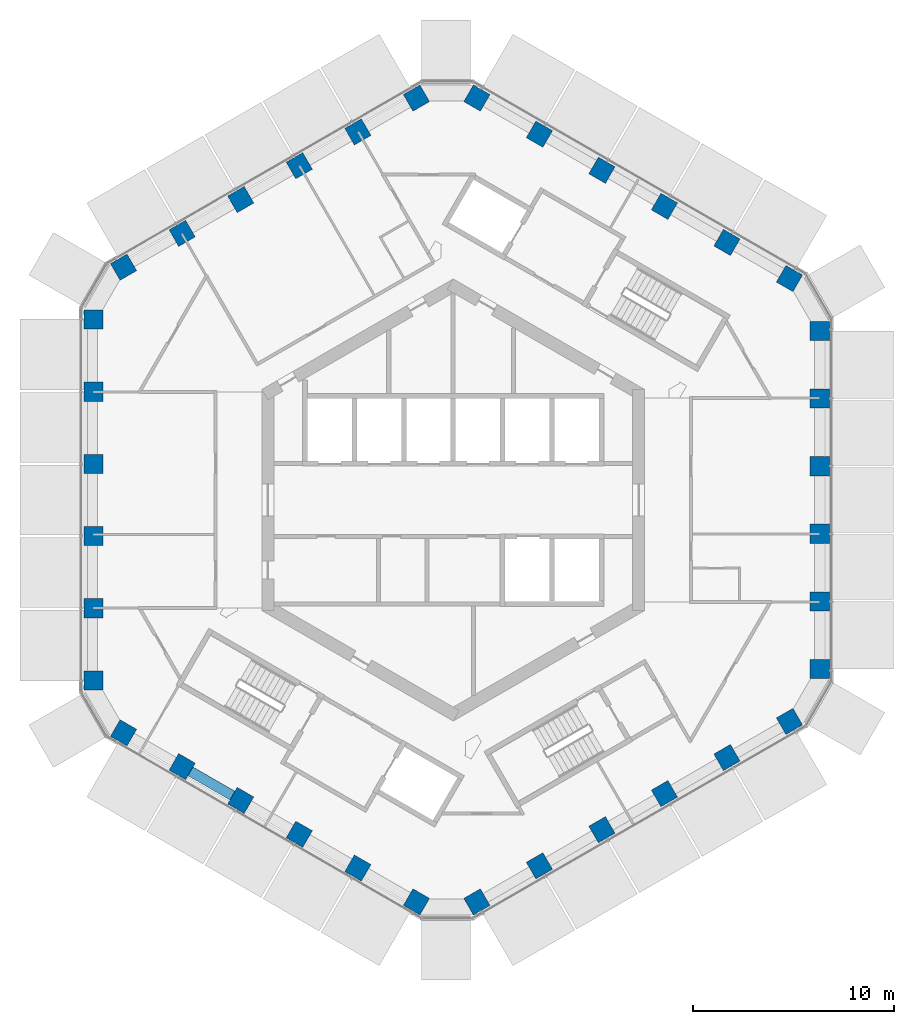
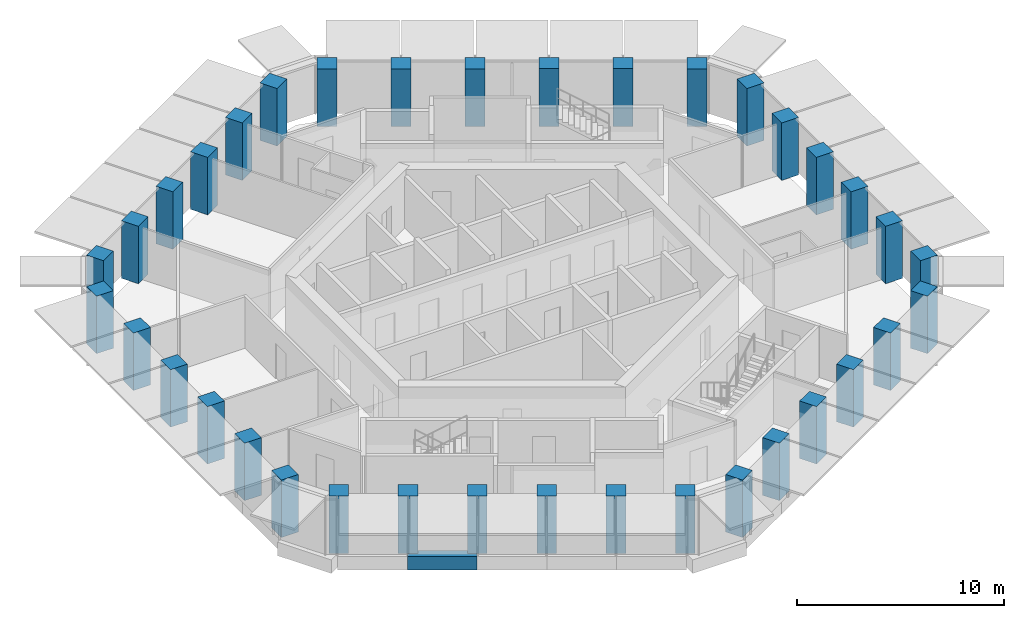
# One storey, part 1 of 18: 36 columns, 1 beam.
"""IFC4 building model written with IfcOpenShell, lengths in metres."""

import ifcopenshell
import ifcopenshell.guid

model = None  # the IFC model being written
_history = None  # IfcOwnerHistory: only IFC2X3 demands one
_inside = {}  # id of a spatial element -> (the spatial element, [elements in it])
_under = {}  # id of a project, library or spatial element -> (it, [spatial elements below it])
_declared = {}  # id of a project -> (the project, [libraries it declares])
_typed = {}  # id of a type object -> (the type object, [elements of that type])
_made_of = {}  # id of a material, layer set ... -> (it, [elements and type objects made of it])


def new_model(schema):
    """Start an empty IFC model of exactly this schema.

    Asked for "IFC4X3", IfcOpenShell would pick the latest addendum, in which some entities
    have other attributes; the version numbers below select the first issue.
    IFC2X3 requires an IfcOwnerHistory on every rooted entity: one is made here for all.
    """
    global model, _history
    if schema == "IFC4X3":
        model = ifcopenshell.file(schema_version=(4, 3, 0, 0))
    else:
        model = ifcopenshell.file(schema=schema)
    _inside.clear()
    _under.clear()
    _declared.clear()
    _typed.clear()
    _made_of.clear()
    _history = None
    if model.schema == "IFC2X3":
        org = make("IfcOrganization", Name="unknown")
        user = make(
            "IfcPersonAndOrganization",
            ThePerson=make("IfcPerson", FamilyName="unknown"),
            TheOrganization=org,
        )
        app = make(
            "IfcApplication",
            ApplicationDeveloper=org,
            Version="unknown",
            ApplicationFullName="unknown",
            ApplicationIdentifier="unknown",
        )
        _history = make(
            "IfcOwnerHistory",
            OwningUser=user,
            OwningApplication=app,
            ChangeAction="ADDED",
            CreationDate=0,
        )
    return model


def make(cls, **values):
    """One entity of the class cls with the attributes given. An attribute that is None is left unset."""
    return model.create_entity(
        cls, **{name: value for name, value in values.items() if value is not None}
    )


def rooted(cls, **values):
    """An entity with a GlobalId (a new one), such as an element, a storey or a relation."""
    return make(cls, GlobalId=ifcopenshell.guid.new(), OwnerHistory=_history, **values)


def si_unit(unit_type, name, prefix=None):
    """IfcSIUnit, for example si_unit("LENGTHUNIT", "METRE", prefix="MILLI")."""
    return make("IfcSIUnit", UnitType=unit_type, Prefix=prefix, Name=name)


def assignment(units):
    """IfcUnitAssignment: the units of a project."""
    return None if units is None else make("IfcUnitAssignment", Units=units)


def point(xyz):
    """IfcCartesianPoint."""
    return None if xyz is None else make("IfcCartesianPoint", Coordinates=xyz)


def direction(xyz):
    """IfcDirection."""
    return None if xyz is None else make("IfcDirection", DirectionRatios=xyz)


def frame(location, z_axis=None, x_axis=None):
    """IfcAxis2Placement3D, a coordinate frame: its origin and axes. An axis left out is left unset."""
    return make(
        "IfcAxis2Placement3D",
        Location=point(location),
        Axis=direction(z_axis),
        RefDirection=direction(x_axis),
    )


def frame_2d(location, x_axis=None):
    """IfcAxis2Placement2D, a coordinate frame in the plane: its origin and x axis."""
    return make(
        "IfcAxis2Placement2D", Location=point(location), RefDirection=direction(x_axis)
    )


def origin():
    """The frame at (0, 0, 0) with its axes left unset."""
    return frame((0.0, 0.0, 0.0))


def origin_2d():
    """The frame at (0, 0) in the plane with its x axis left unset."""
    return frame_2d((0.0, 0.0))


def place(relative_to, where):
    """IfcLocalPlacement: puts the frame where relative to a parent placement (None: the world)."""
    return make(
        "IfcLocalPlacement", PlacementRelTo=relative_to, RelativePlacement=where
    )


def context(
    kind, dimensions, precision=None, world=None, true_north=None, identifier=None
):
    """IfcGeometricRepresentationContext, for example the 3D "Model" context."""
    return make(
        "IfcGeometricRepresentationContext",
        ContextIdentifier=identifier,
        ContextType=kind,
        CoordinateSpaceDimension=dimensions,
        Precision=precision,
        WorldCoordinateSystem=world,
        TrueNorth=true_north,
    )


def subcontext(parent, identifier, kind, view, scale=None):
    """IfcGeometricRepresentationSubContext, for example "Body" below "Model"."""
    return make(
        "IfcGeometricRepresentationSubContext",
        ContextIdentifier=identifier,
        ContextType=kind,
        ParentContext=parent,
        TargetScale=scale,
        TargetView=view,
    )


def project(units=None, contexts=None):
    """IfcProject with its units and contexts."""
    return rooted(
        "IfcProject",
        Name="project",
        RepresentationContexts=contexts,
        UnitsInContext=assignment(units),
    )


def spatial(cls, under=None, at=None, **own):
    """A site, building, storey or space (cls), placed at a placement, below another one or the project."""
    s = rooted(cls, ObjectPlacement=at, **own)
    if under is not None:
        _under.setdefault(under.id(), (under, []))[1].append(s)
    return s


def profile(cls, at=None, kind="AREA", **sizes):
    """A parametric profile (cls). Its sizes go by their IFC names, for example OverallWidth=200.0."""
    return make(cls, ProfileType=kind, Position=at, **sizes)


def rectangle(**sizes):
    """IfcRectangleProfileDef."""
    return profile("IfcRectangleProfileDef", **sizes)


def extrude(swept, where, along, depth):
    """IfcExtrudedAreaSolid: the profile swept, set in the frame where, extruded along a direction by depth."""
    return make(
        "IfcExtrudedAreaSolid",
        SweptArea=swept,
        Position=where,
        ExtrudedDirection=direction(along),
        Depth=depth,
    )


def shape(context_of_items, identifier, shape_type, items):
    """IfcShapeRepresentation: the items that make up one representation, for example the "Body"."""
    return make(
        "IfcShapeRepresentation",
        ContextOfItems=context_of_items,
        RepresentationIdentifier=identifier,
        RepresentationType=shape_type,
        Items=items,
    )


def material(Name=None, Category=None):
    """IfcMaterial."""
    return make("IfcMaterial", Name=Name, Category=Category)


def material_profile(
    of_material, cross_section, Name=None, Category=None, Priority=None
):
    """IfcMaterialProfile: a cross section and its material."""
    return make(
        "IfcMaterialProfile",
        Name=Name,
        Material=of_material,
        Profile=cross_section,
        Priority=Priority,
        Category=Category,
    )


def profile_set(profiles, Name=None, composite=None):
    """IfcMaterialProfileSet."""
    return make(
        "IfcMaterialProfileSet",
        Name=Name,
        MaterialProfiles=profiles,
        CompositeProfile=composite,
    )


def made_of(thing, what):
    """Note that an element or type object is made of a material, layer set ...; save() writes the relation."""
    if what is not None:
        _made_of.setdefault(what.id(), (what, []))[1].append(thing)
    return thing


def type_object(cls, material=None, **own):
    """A type object (cls), such as IfcWallType, which elements share."""
    return made_of(rooted(cls, **own), material)


def element(
    cls,
    number,
    at=None,
    inside=None,
    cuts=None,
    type_object=None,
    material=None,
    context=None,
    identifier="Body",
    shape_type=None,
    held_by="IfcProductDefinitionShape",
    body=None,
    shapes=None,
    **own,
):
    """One element of the class cls, such as IfcWall. Its Tag is "e" and its number.

    at: its placement. inside: the storey or other place that contains it. cuts: it is an
    opening in that element (IfcRelVoidsElement). A single representation is given by context,
    identifier, shape_type and body (its items); several are given by shapes. held_by: the class
    of the entity that holds the representations. save() writes the other relations.
    """
    e = rooted(cls, Tag="e%d" % number, ObjectPlacement=at, **own)
    if body is not None:
        shapes = [shape(context, identifier, shape_type, body)]
    if shapes is not None:
        e.Representation = make(held_by, Representations=shapes)
    if inside is not None:
        _inside.setdefault(inside.id(), (inside, []))[1].append(e)
    if cuts is not None:
        rooted(
            "IfcRelVoidsElement", RelatingBuildingElement=cuts, RelatedOpeningElement=e
        )
    if type_object is not None:
        _typed.setdefault(type_object.id(), (type_object, []))[1].append(e)
    return made_of(e, material)


def aggregate(whole, parts):
    """IfcRelAggregates: a whole, such as a stair, and the parts it consists of."""
    return rooted("IfcRelAggregates", RelatingObject=whole, RelatedObjects=parts)


def save(model, path):
    """Write the relations noted so far, then the file.

    IfcRelAggregates (storeys below a building ...), IfcRelContainedInSpatialStructure (elements
    in a storey), IfcRelDefinesByType, IfcRelAssociatesMaterial and IfcRelDeclares: one each for
    every whole, place, type object, material and project.
    """
    for whole, parts in _under.values():
        aggregate(whole, parts)
    for where, things in _inside.values():
        rooted(
            "IfcRelContainedInSpatialStructure",
            RelatedElements=things,
            RelatingStructure=where,
        )
    for kind, things in _typed.values():
        rooted("IfcRelDefinesByType", RelatedObjects=things, RelatingType=kind)
    for what, things in _made_of.values():
        rooted("IfcRelAssociatesMaterial", RelatedObjects=things, RelatingMaterial=what)
    for by, libraries in _declared.values():
        rooted("IfcRelDeclares", RelatingContext=by, RelatedDefinitions=libraries)
    model.write(path)


model = new_model("IFC4")

# Units and contexts
model_context = context("Model", 3, precision=1e-05, world=origin(), true_north=direction((0.0, 1.0)))
body_context = subcontext(model_context, "Body", "Model", "MODEL_VIEW")
ifc_project = project(units=[si_unit("LENGTHUNIT", "METRE"), si_unit("AREAUNIT", "SQUARE_METRE"), si_unit("VOLUMEUNIT", "CUBIC_METRE"), si_unit("PLANEANGLEUNIT", "RADIAN"), si_unit("MASSUNIT", "GRAM", prefix="KILO")], contexts=[model_context])

# Site, building, storey
site_placement = place(None, origin())
site = spatial("IfcSite", under=ifc_project, at=site_placement, CompositionType="ELEMENT")
building_placement = place(site_placement, origin())
building = spatial("IfcBuilding", under=site, at=building_placement, Name="Ayvan Gate Tower", CompositionType="ELEMENT")
storey_placement = place(building_placement, frame((0.0, 0.0, 169.699951171875)))
storey = spatial("IfcBuildingStorey", under=building, at=storey_placement, Name="L45", CompositionType="ELEMENT", Elevation=169.699951171875)

# Columns
ifc_material_1 = material(Name="Concrete C55/67", Category="concrete")
ifc_material_profile_1 = material_profile(ifc_material_1, rectangle(XDim=0.949951171875, YDim=0.949951171875, at=origin_2d()), Name="RC 950x950")
ifc_profile_set_1 = profile_set([ifc_material_profile_1], Name="Concrete C55/67")
column_type = type_object("IfcColumnType", Name="Tube column RC 950x950 C55/67", PredefinedType="COLUMN", material=ifc_profile_set_1)
for number, where, z_axis, x_axis, name in (
    (1, (18.1865234375, -8.39111328125, 0.0), (0.0, 0.0, 1.0), (1.0, 0.0, 0.0), "C-T0-0-L45"),
    (2, (18.1865234375, -5.03466796875, 0.0), (0.0, 0.0, 1.0), (1.0, 0.0, 0.0), "C-T0-1-L45"),
    (3, (18.1865234375, -1.67822265625, 0.0), (0.0, 0.0, 1.0), (1.0, 0.0, 0.0), "C-T0-2-L45"),
    (4, (18.1865234375, 1.67822265625, 0.0), (0.0, 0.0, 1.0), (1.0, 0.0, 0.0), "C-T0-3-L45"),
    (5, (18.1865234375, 5.03466796875, 0.0), (0.0, 0.0, 1.0), (1.0, 0.0, 0.0), "C-T0-4-L45"),
    (6, (18.1865234375, 8.39111328125, 0.0), (0.0, 0.0, 1.0), (1.0, 0.0, 0.0), "C-T0-5-L45"),
    (7, (16.6865234375, 10.989013671875, 0.0), (0.0, 0.0, 1.0), (0.5, 0.866025403784, 0.0), "C-T1-0-L45"),
    (8, (13.583984375, 12.780517578125, 0.0), (0.0, 0.0, 1.0), (0.5, 0.866025403784, 0.0), "C-T1-1-L45"),
    (9, (10.4814453125, 14.57177734375, 0.0), (0.0, 0.0, 1.0), (0.5, 0.866025403784, 0.0), "C-T1-2-L45"),
    (10, (7.378662109375, 16.363037109375, 0.0), (0.0, 0.0, 1.0), (0.5, 0.866025403784, 0.0), "C-T1-3-L45"),
    (11, (4.276123046875, 18.154296875, 0.0), (0.0, 0.0, 1.0), (0.5, 0.866025403784, 0.0), "C-T1-4-L45"),
    (12, (1.173583984375, 19.945556640625, 0.0), (0.0, 0.0, 1.0), (0.5, 0.866025403784, 0.0), "C-T1-5-L45"),
    (13, (-1.826416015625, 19.945556640625, 0.0), (0.0, 0.0, 1.0), (-0.5, 0.866025403784, 0.0), "C-T2-0-L45"),
    (14, (-4.733154296875, 18.267333984375, 0.0), (0.0, 0.0, 1.0), (-0.5, 0.866025403784, 0.0), "C-T2-1-L45"),
    (15, (-7.639892578125, 16.589111328125, 0.0), (0.0, 0.0, 1.0), (-0.5, 0.866025403784, 0.0), "C-T2-2-L45"),
    (16, (-10.546630859375, 14.910888671875, 0.0), (0.0, 0.0, 1.0), (-0.5, 0.866025403784, 0.0), "C-T2-3-L45"),
    (17, (-13.453369140625, 13.232666015625, 0.0), (0.0, 0.0, 1.0), (-0.5, 0.866025403784, 0.0), "C-T2-4-L45"),
    (18, (-16.360107421875, 11.554443359375, 0.0), (0.0, 0.0, 1.0), (-0.5, 0.866025403784, 0.0), "C-T2-5-L45"),
    (19, (-17.860107421875, 8.956298828125, 0.0), (0.0, 0.0, 1.0), (-1.0, 0.0, 0.0), "C-T3-0-L45"),
    (20, (-17.860107421875, 5.373779296875, 0.0), (0.0, 0.0, 1.0), (-1.0, 0.0, 0.0), "C-T3-1-L45"),
    (21, (-17.860107421875, 1.791259765625, 0.0), (0.0, 0.0, 1.0), (-1.0, 0.0, 0.0), "C-T3-2-L45"),
    (22, (-17.860107421875, -1.791259765625, 0.0), (0.0, 0.0, 1.0), (-1.0, 0.0, 0.0), "C-T3-3-L45"),
    (23, (-17.860107421875, -5.373779296875, 0.0), (0.0, 0.0, 1.0), (-1.0, 0.0, 0.0), "C-T3-4-L45"),
    (24, (-17.860107421875, -8.956298828125, 0.0), (0.0, 0.0, 1.0), (-1.0, 0.0, 0.0), "C-T3-5-L45"),
    (25, (-16.360107421875, -11.554443359375, 0.0), (0.0, 0.0, 1.0), (-0.5, -0.866025403784, 0.0), "C-T4-0-L45"),
    (26, (-13.453369140625, -13.232666015625, 0.0), (0.0, 0.0, 1.0), (-0.5, -0.866025403784, 0.0), "C-T4-1-L45"),
    (27, (-10.546630859375, -14.910888671875, 0.0), (0.0, 0.0, 1.0), (-0.5, -0.866025403784, 0.0), "C-T4-2-L45"),
    (28, (-7.639892578125, -16.589111328125, 0.0), (0.0, 0.0, 1.0), (-0.5, -0.866025403784, 0.0), "C-T4-3-L45"),
    (29, (-4.733154296875, -18.267333984375, 0.0), (0.0, 0.0, 1.0), (-0.5, -0.866025403784, 0.0), "C-T4-4-L45"),
    (30, (-1.826416015625, -19.945556640625, 0.0), (0.0, 0.0, 1.0), (-0.5, -0.866025403784, 0.0), "C-T4-5-L45"),
    (31, (1.173583984375, -19.945556640625, 0.0), (0.0, 0.0, 1.0), (0.5, -0.866025403784, 0.0), "C-T5-0-L45"),
    (32, (4.276123046875, -18.154296875, 0.0), (0.0, 0.0, 1.0), (0.5, -0.866025403784, 0.0), "C-T5-1-L45"),
    (33, (7.378662109375, -16.363037109375, 0.0), (0.0, 0.0, 1.0), (0.5, -0.866025403784, 0.0), "C-T5-2-L45"),
    (34, (10.4814453125, -14.57177734375, 0.0), (0.0, 0.0, 1.0), (0.5, -0.866025403784, 0.0), "C-T5-3-L45"),
    (35, (13.583984375, -12.780517578125, 0.0), (0.0, 0.0, 1.0), (0.5, -0.866025403784, 0.0), "C-T5-4-L45"),
    (36, (16.6865234375, -10.989013671875, 0.0), (0.0, 0.0, 1.0), (0.5, -0.866025403784, 0.0), "C-T5-5-L45"),
):
    element("IfcColumn", number, at=place(storey_placement, frame(where, z_axis=z_axis, x_axis=x_axis)), inside=storey, type_object=column_type, Name=name, PredefinedType="COLUMN", context=body_context, shape_type="SweptSolid", body=[
        extrude(rectangle(XDim=0.949951171875, YDim=0.949951171875, at=origin_2d()), origin(), (0.0, 0.0, 1.0), 3.400146484375),
    ])

# Beam
ifc_material_2 = material(Name="Concrete C40/50", Category="concrete")
ifc_material_profile_2 = material_profile(ifc_material_2, rectangle(XDim=0.5, YDim=0.800048828125, at=origin_2d()), Name="RC 500x800")
ifc_profile_set_2 = profile_set([ifc_material_profile_2], Name="Concrete C40/50")
beam_type = type_object("IfcBeamType", Name="Spandrel beam RC 500x800 C40/50", PredefinedType="BEAM", material=ifc_profile_set_2)
beam_placement = place(storey_placement, frame((-13.47900390625, -13.2177734375, -0.75), z_axis=(0.866004950882, -0.500035423793, 0.0), x_axis=(0.500035423793, 0.866004950882, 0.0)))
element("IfcBeam", 37, at=beam_placement, inside=storey, type_object=beam_type, Name="SB-L45-26", PredefinedType="BEAM", context=body_context, shape_type="SweptSolid", body=[
    extrude(rectangle(XDim=0.5, YDim=0.800048828125, at=origin_2d()), origin(), (0.0, 0.0, 1.0), 3.376220703125),
])

save(model, "model.ifc")
